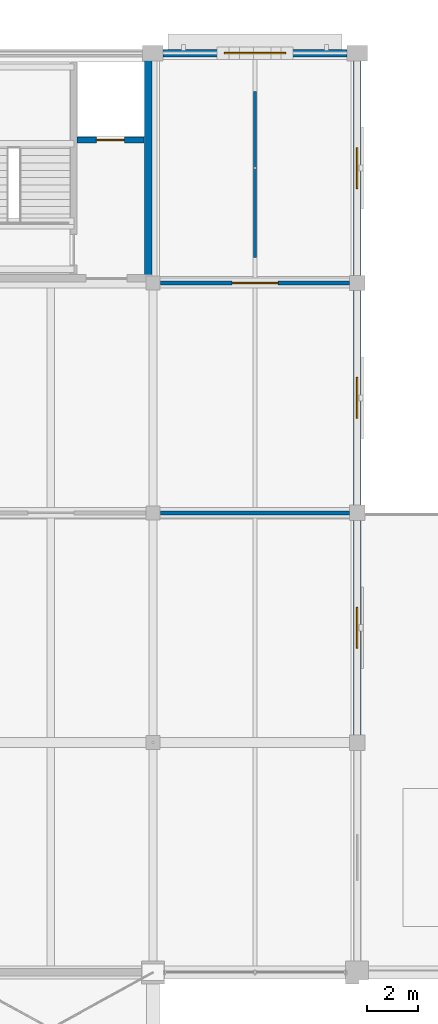
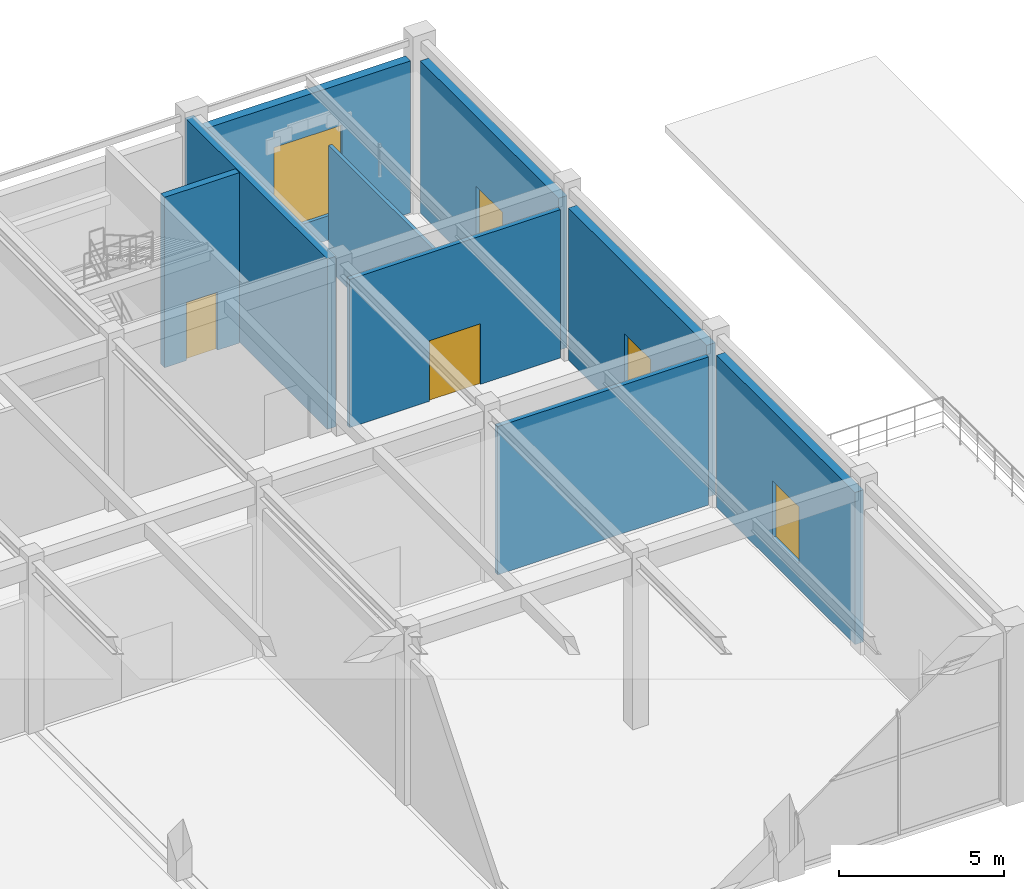
# One storey, part 135 of 163: 9 walls, 4 windows, 2 doors, 6 openings.
"""IFC4 building model written with IfcOpenShell, lengths in metres."""

from ifc_helpers import new_model, si_unit, direction, frame, frame_2d, origin, place, context, subcontext, project, spatial, rectangle, extrude, material, layer, layer_set, type_object, element, fill, save


model = new_model("IFC4")

# Units and contexts
model_context = context("Model", 3, precision=1e-05, world=origin(), true_north=direction((0.0, 1.0)))
body_context = subcontext(model_context, "Body", "Model", "MODEL_VIEW")
ifc_project = project(units=[si_unit("LENGTHUNIT", "METRE"), si_unit("AREAUNIT", "SQUARE_METRE"), si_unit("VOLUMEUNIT", "CUBIC_METRE"), si_unit("PLANEANGLEUNIT", "RADIAN"), si_unit("MASSUNIT", "GRAM", prefix="KILO")], contexts=[model_context])

# Site, building, storey
site_placement = place(None, origin())
site = spatial("IfcSite", under=ifc_project, at=site_placement, CompositionType="ELEMENT")
building_placement = place(site_placement, origin())
building = spatial("IfcBuilding", under=site, at=building_placement, Name="Varnabhumi Central Station", CompositionType="ELEMENT")
storey_placement = place(building_placement, frame((0.0, 0.0, 9.60009765625)))
storey = spatial("IfcBuildingStorey", under=building, at=storey_placement, Name="L02", CompositionType="ELEMENT", Elevation=9.60009765625)

# Wall
ifc_material_1 = material(Name="Concrete M40", Category="concrete")
ifc_layer_1 = layer(ifc_material_1, 0.300048828125, Name="Concrete M40", Category="concrete")
ifc_layer_set_1 = layer_set([ifc_layer_1], Name="Concrete M40")
wall_type_1 = type_object("IfcWallType", Name="WAL-CORE-RC-300", PredefinedType="SHEAR", material=ifc_layer_set_1)
wall_1_placement = place(storey_placement, frame((135.820068359375, 107.179931640625, 0.0), z_axis=(0.0, 0.0, 1.0), x_axis=(0.0, 1.0, 0.0)))
element("IfcWall", 1, at=wall_1_placement, inside=storey, type_object=wall_type_1, Name="NC3 L02 East Shear Wall", PredefinedType="SHEAR", context=body_context, shape_type="SweptSolid", body=[
    extrude(rectangle(XDim=8.64013671875, YDim=0.300048828125, at=frame_2d((4.320068359375, 0.0))), origin(), (0.0, 0.0, 1.0), 6.31982421875),
])

# Wall, opening, window
ifc_material_2 = material(Name="Autoclaved aerated blockwork masonry", Category="masonry")
ifc_layer_2 = layer(ifc_material_2, 0.300048828125, Name="Autoclaved aerated blockwork masonry", Category="masonry")
ifc_layer_set_2 = layer_set([ifc_layer_2], Name="Autoclaved aerated blockwork masonry")
wall_type_2 = type_object("IfcWallType", Name="WAL-EXT-STUCCO-300", PredefinedType="SOLIDWALL", material=ifc_layer_set_2)
wall_2_placement = place(storey_placement, frame((136.39990234375, 116.0, 0.0), z_axis=(0.0, 0.0, 1.0), x_axis=(1.0, 0.0, 0.0)))
wall_2 = element("IfcWall", 2, at=wall_2_placement, inside=storey, type_object=wall_type_2, Name="North Boulevard Wall L02-15", PredefinedType="SOLIDWALL", context=body_context, shape_type="SweptSolid", body=[
    extrude(rectangle(XDim=7.2001953125, YDim=0.300048828125, at=frame_2d((3.60009765625, 0.0))), origin(), (0.0, 0.0, 1.0), 5.639892578125),
])
opening_1_placement = place(wall_2_placement, frame((2.39990234375, 0.0, 0.89990234375)))
opening_1 = element("IfcOpeningElement", 3, at=opening_1_placement, cuts=wall_2, Name="Opening W-05", PredefinedType="OPENING", context=body_context, shape_type="SweptSolid", body=[
    extrude(rectangle(XDim=2.39990234375, YDim=3.199951171875, at=frame_2d((1.199951171875, 1.60009765625))), frame((0.0, 0.159912109375, 0.0), z_axis=(0.0, -1.0, 0.0), x_axis=(1.0, 0.0, 0.0)), (0.0, 0.0, 1.0), 0.320068359375),
])
ifc_material_3 = material(Name="Laminated low-E double glazing", Category="glass")
window_type_1 = type_object("IfcWindowType", Name="WIN-TALL-2400x3200", PartitioningType="TRIPLE_PANEL_HORIZONTAL", PredefinedType="WINDOW", material=ifc_material_3)
window_1_placement = place(opening_1_placement, origin())
window_1 = element("IfcWindow", 4, at=window_1_placement, inside=storey, type_object=window_type_1, Name="North Facade Window L02-15", OverallHeight=3.199951171875, OverallWidth=2.39990234375, PartitioningType="SINGLE_PANEL", PredefinedType="WINDOW", context=body_context, shape_type="SweptSolid", body=[
    extrude(rectangle(XDim=2.39990234375, YDim=3.199951171875, at=frame_2d((1.199951171875, 1.60009765625))), frame((0.0, 0.030029296875, 0.0), z_axis=(0.0, -1.0, 0.0), x_axis=(1.0, 0.0, 0.0)), (0.0, 0.0, 1.0), 0.06005859375),
])
fill(opening_1, window_1)

wall_3_placement = place(storey_placement, frame((144.0, 89.294921875, 0.0), z_axis=(0.0, 0.0, 1.0), x_axis=(0.0, 1.0, 0.0)))
wall_3 = element("IfcWall", 5, at=wall_3_placement, inside=storey, type_object=wall_type_2, Name="North Wing W End Wall L02-2", PredefinedType="SOLIDWALL", context=body_context, shape_type="SweptSolid", body=[
    extrude(rectangle(XDim=8.41015625, YDim=0.300048828125, at=frame_2d((4.205078125, 0.0))), origin(), (0.0, 0.0, 1.0), 5.639892578125),
])
opening_2_placement = place(wall_3_placement, frame((3.405029296875, 0.0, 0.949951171875)))
opening_2 = element("IfcOpeningElement", 6, at=opening_2_placement, cuts=wall_3, Name="Opening W-04", PredefinedType="OPENING", context=body_context, shape_type="SweptSolid", body=[
    extrude(rectangle(XDim=1.60009765625, YDim=2.10009765625, at=frame_2d((0.800048828125, 1.050048828125))), frame((0.0, 0.159912109375, 0.0), z_axis=(0.0, -1.0, 0.0), x_axis=(1.0, 0.0, 0.0)), (0.0, 0.0, 1.0), 0.320068359375),
])
window_type_2 = type_object("IfcWindowType", Name="WIN-PIER-1600x2200", PartitioningType="SINGLE_PANEL", PredefinedType="WINDOW", material=ifc_material_3)
window_2_placement = place(opening_2_placement, origin())
window_2 = element("IfcWindow", 7, at=window_2_placement, inside=storey, type_object=window_type_2, Name="North W Window L02-2", OverallHeight=2.10009765625, OverallWidth=1.60009765625, PartitioningType="SINGLE_PANEL", PredefinedType="WINDOW", context=body_context, shape_type="SweptSolid", body=[
    extrude(rectangle(XDim=1.60009765625, YDim=2.10009765625, at=frame_2d((0.800048828125, 1.050048828125))), frame((0.0, 0.030029296875, 0.0), z_axis=(0.0, -1.0, 0.0), x_axis=(1.0, 0.0, 0.0)), (0.0, 0.0, 1.0), 0.06005859375),
])
fill(opening_2, window_2)

wall_4_placement = place(storey_placement, frame((144.0, 98.294921875, 0.0), z_axis=(0.0, 0.0, 1.0), x_axis=(0.0, 1.0, 0.0)))
wall_4 = element("IfcWall", 8, at=wall_4_placement, inside=storey, type_object=wall_type_2, Name="North Wing W End Wall L02-3", PredefinedType="SOLIDWALL", context=body_context, shape_type="SweptSolid", body=[
    extrude(rectangle(XDim=8.41015625, YDim=0.300048828125, at=frame_2d((4.205078125, 0.0))), origin(), (0.0, 0.0, 1.0), 5.639892578125),
])
opening_3_placement = place(wall_4_placement, frame((3.405029296875, 0.0, 0.949951171875)))
opening_3 = element("IfcOpeningElement", 9, at=opening_3_placement, cuts=wall_4, Name="Opening W-04", PredefinedType="OPENING", context=body_context, shape_type="SweptSolid", body=[
    extrude(rectangle(XDim=1.60009765625, YDim=2.10009765625, at=frame_2d((0.800048828125, 1.050048828125))), frame((0.0, 0.159912109375, 0.0), z_axis=(0.0, -1.0, 0.0), x_axis=(1.0, 0.0, 0.0)), (0.0, 0.0, 1.0), 0.320068359375),
])
window_3_placement = place(opening_3_placement, origin())
window_3 = element("IfcWindow", 10, at=window_3_placement, inside=storey, type_object=window_type_2, Name="North W Window L02-3", OverallHeight=2.10009765625, OverallWidth=1.60009765625, PartitioningType="SINGLE_PANEL", PredefinedType="WINDOW", context=body_context, shape_type="SweptSolid", body=[
    extrude(rectangle(XDim=1.60009765625, YDim=2.10009765625, at=frame_2d((0.800048828125, 1.050048828125))), frame((0.0, 0.030029296875, 0.0), z_axis=(0.0, -1.0, 0.0), x_axis=(1.0, 0.0, 0.0)), (0.0, 0.0, 1.0), 0.06005859375),
])
fill(opening_3, window_3)

wall_5_placement = place(storey_placement, frame((144.0, 107.294921875, 0.0), z_axis=(0.0, 0.0, 1.0), x_axis=(0.0, 1.0, 0.0)))
wall_5 = element("IfcWall", 11, at=wall_5_placement, inside=storey, type_object=wall_type_2, Name="North Wing W End Wall L02-4", PredefinedType="SOLIDWALL", context=body_context, shape_type="SweptSolid", body=[
    extrude(rectangle(XDim=8.41015625, YDim=0.300048828125, at=frame_2d((4.205078125, 0.0))), origin(), (0.0, 0.0, 1.0), 5.639892578125),
])
opening_4_placement = place(wall_5_placement, frame((3.405029296875, 0.0, 0.949951171875)))
opening_4 = element("IfcOpeningElement", 12, at=opening_4_placement, cuts=wall_5, Name="Opening W-04", PredefinedType="OPENING", context=body_context, shape_type="SweptSolid", body=[
    extrude(rectangle(XDim=1.60009765625, YDim=2.10009765625, at=frame_2d((0.800048828125, 1.050048828125))), frame((0.0, 0.159912109375, 0.0), z_axis=(0.0, -1.0, 0.0), x_axis=(1.0, 0.0, 0.0)), (0.0, 0.0, 1.0), 0.320068359375),
])
window_4_placement = place(opening_4_placement, origin())
window_4 = element("IfcWindow", 13, at=window_4_placement, inside=storey, type_object=window_type_2, Name="North W Window L02-4", OverallHeight=2.10009765625, OverallWidth=1.60009765625, PartitioningType="SINGLE_PANEL", PredefinedType="WINDOW", context=body_context, shape_type="SweptSolid", body=[
    extrude(rectangle(XDim=1.60009765625, YDim=2.10009765625, at=frame_2d((0.800048828125, 1.050048828125))), frame((0.0, 0.030029296875, 0.0), z_axis=(0.0, -1.0, 0.0), x_axis=(1.0, 0.0, 0.0)), (0.0, 0.0, 1.0), 0.06005859375),
])
fill(opening_4, window_4)

# Wall, opening, door
ifc_layer_3 = layer(ifc_material_2, 0.159912109375, Name="Autoclaved aerated blockwork masonry", Category="masonry")
ifc_layer_set_3 = layer_set([ifc_layer_3], Name="Autoclaved aerated blockwork masonry")
wall_type_3 = type_object("IfcWallType", Name="WAL-PART-AAC-160", PredefinedType="PARTITIONING", material=ifc_layer_set_3)
wall_6_placement = place(storey_placement, frame((136.300048828125, 107.0, 0.0), z_axis=(0.0, 0.0, 1.0), x_axis=(1.0, 0.0, 0.0)))
wall_6 = element("IfcWall", 14, at=wall_6_placement, inside=storey, type_object=wall_type_3, Name="Passenger Cultural Exhibition and Community Room Corridor Partition 1", PredefinedType="PARTITIONING", context=body_context, shape_type="SweptSolid", body=[
    extrude(rectangle(XDim=7.39990234375, YDim=0.159912109375, at=frame_2d((3.699951171875, 0.0))), origin(), (0.0, 0.0, 1.0), 5.5),
])
opening_5_placement = place(wall_6_placement, frame((2.800048828125, 0.0, 0.0)))
opening_5 = element("IfcOpeningElement", 15, at=opening_5_placement, cuts=wall_6, Name="Opening D-02", PredefinedType="OPENING", context=body_context, shape_type="SweptSolid", body=[
    extrude(rectangle(XDim=1.800048828125, YDim=2.25, at=frame_2d((0.89990234375, 1.125))), frame((0.0, 0.08984375, 0.0), z_axis=(0.0, -1.0, 0.0), x_axis=(1.0, 0.0, 0.0)), (0.0, 0.0, 1.0), 0.179931640625),
])
ifc_material_4 = material(Name="Anodised aluminium 6063-T6", Category="aluminium")
door_type_1 = type_object("IfcDoorType", Name="DR-LOUNGE-1800", OperationType="NOTDEFINED", PredefinedType="DOOR", material=ifc_material_4)
door_1_placement = place(opening_5_placement, frame((1.800048828125, 0.0, 0.0), z_axis=(0.0, 0.0, 1.0), x_axis=(-1.0, 0.0, 0.0)))
door_1 = element("IfcDoor", 16, at=door_1_placement, inside=storey, type_object=door_type_1, Name="Passenger Cultural Exhibition and Community Room Door 1", OperationType="DOUBLE_DOOR_SINGLE_SWING", OverallHeight=2.25, OverallWidth=1.800048828125, PredefinedType="DOOR", context=body_context, shape_type="SweptSolid", body=[
    extrude(rectangle(XDim=1.800048828125, YDim=2.25, at=frame_2d((0.89990234375, 1.125))), frame((0.0, 0.02490234375, 0.0), z_axis=(0.0, -1.0, 0.0), x_axis=(1.0, 0.0, 0.0)), (0.0, 0.0, 1.0), 0.050048828125),
])
fill(opening_5, door_1)

# Walls
wall_7_placement = place(storey_placement, frame((136.300048828125, 98.0, 0.0), z_axis=(0.0, 0.0, 1.0), x_axis=(1.0, 0.0, 0.0)))
element("IfcWall", 17, at=wall_7_placement, inside=storey, type_object=wall_type_3, Name="North General Waiting Hall Corridor Partition 2", PredefinedType="PARTITIONING", context=body_context, shape_type="SweptSolid", body=[
    extrude(rectangle(XDim=7.39990234375, YDim=0.159912109375, at=frame_2d((3.699951171875, 0.0))), origin(), (0.0, 0.0, 1.0), 5.5),
])
ifc_layer_4 = layer(ifc_material_2, 0.1201171875, Name="Autoclaved aerated blockwork masonry", Category="masonry")
ifc_layer_set_4 = layer_set([ifc_layer_4], Name="Autoclaved aerated blockwork masonry")
wall_type_4 = type_object("IfcWallType", Name="WAL-PART-DRY-120", PredefinedType="MOVABLE", material=ifc_layer_set_4)
wall_8_placement = place(storey_placement, frame((140.0, 108.0, 0.0), z_axis=(0.0, 0.0, 1.0), x_axis=(0.0, 1.0, 0.0)))
element("IfcWall", 18, at=wall_8_placement, inside=storey, type_object=wall_type_4, Name="Acoustic Operable Partition MP-2", PredefinedType="MOVABLE", context=body_context, shape_type="SweptSolid", body=[
    extrude(rectangle(XDim=6.5, YDim=0.1201171875, at=frame_2d((3.25, 0.0))), origin(), (0.0, 0.0, 1.0), 4.599853515625),
])

# Wall, opening, door
ifc_layer_5 = layer(ifc_material_1, 0.239990234375, Name="Concrete M40", Category="concrete")
ifc_layer_set_5 = layer_set([ifc_layer_5], Name="Concrete M40")
wall_type_5 = type_object("IfcWallType", Name="WAL-SHAFT-RC-240", PredefinedType="SHEAR", material=ifc_layer_set_5)
wall_9_placement = place(storey_placement, frame((133.02001953125, 112.60009765625, 0.0), z_axis=(0.0, 0.0, 1.0), x_axis=(1.0, 0.0, 0.0)))
wall_9 = element("IfcWall", 19, at=wall_9_placement, inside=storey, type_object=wall_type_5, Name="PL-6 L02 Lift Shaft Front Wall", PredefinedType="SHEAR", context=body_context, shape_type="SweptSolid", body=[
    extrude(rectangle(XDim=2.6298828125, YDim=0.239990234375, at=frame_2d((1.31494140625, 0.0))), origin(), (0.0, 0.0, 1.0), 6.31982421875),
])
opening_6_placement = place(wall_9_placement, frame((0.764892578125, 0.0, 0.0)))
opening_6 = element("IfcOpeningElement", 20, at=opening_6_placement, cuts=wall_9, Name="Opening LD-PL-6", PredefinedType="OPENING", context=body_context, shape_type="SweptSolid", body=[
    extrude(rectangle(XDim=1.10009765625, YDim=2.14990234375, at=frame_2d((0.550048828125, 1.074951171875))), frame((0.0, 0.1298828125, 0.0), z_axis=(0.0, -1.0, 0.0), x_axis=(1.0, 0.0, 0.0)), (0.0, 0.0, 1.0), 0.260009765625),
])
ifc_material_5 = material(Name="Stainless steel Grade 316", Category="steel")
door_type_2 = type_object("IfcDoorType", Name="DR-LIFT-PASS-1100", OperationType="NOTDEFINED", PredefinedType="DOOR", material=ifc_material_5)
door_2_placement = place(opening_6_placement, origin())
door_2 = element("IfcDoor", 21, at=door_2_placement, inside=storey, type_object=door_type_2, Name="Lift Landing Door PL-6 L02", OperationType="DOUBLE_DOOR_SLIDING", OverallHeight=2.14990234375, OverallWidth=1.10009765625, PredefinedType="DOOR", context=body_context, shape_type="SweptSolid", body=[
    extrude(rectangle(XDim=1.10009765625, YDim=2.14990234375, at=frame_2d((0.550048828125, 1.074951171875))), frame((0.0, 0.02490234375, 0.0), z_axis=(0.0, -1.0, 0.0), x_axis=(1.0, 0.0, 0.0)), (0.0, 0.0, 1.0), 0.050048828125),
])
fill(opening_6, door_2)

save(model, "model.ifc")
